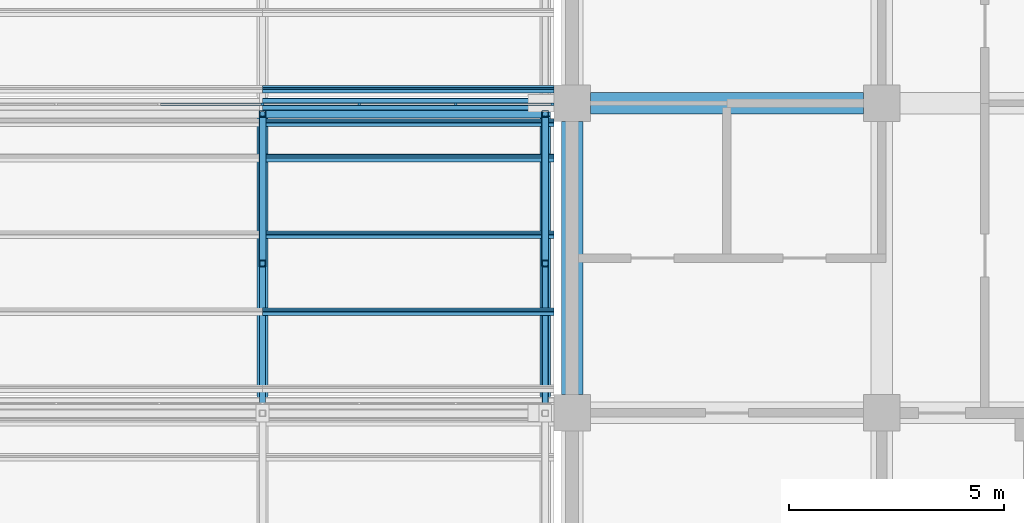
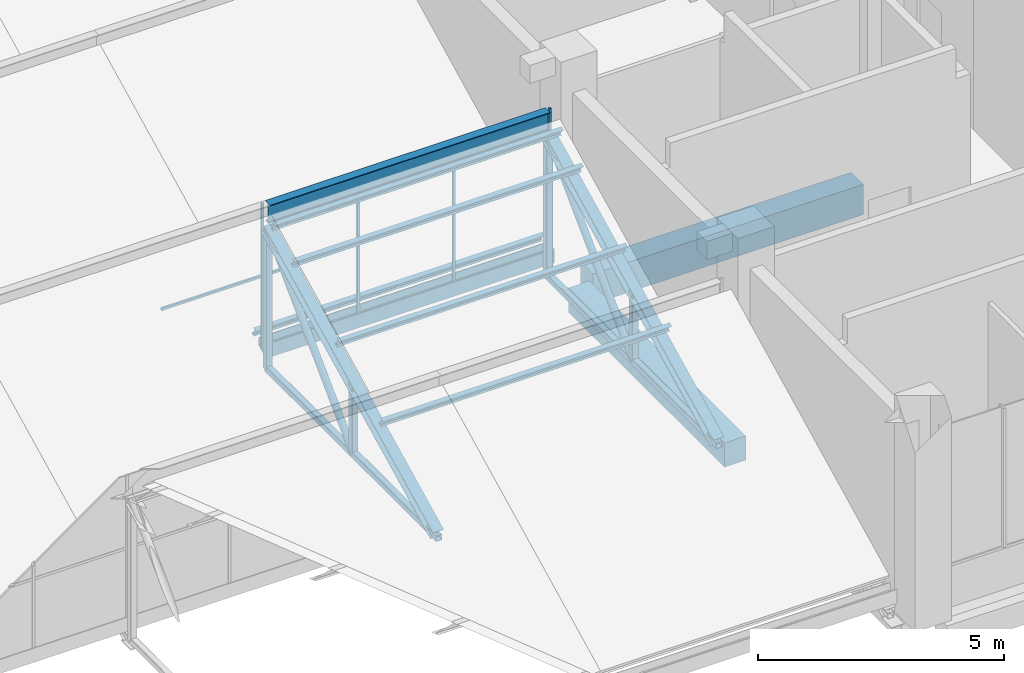
# One storey, part 45 of 83: 25 members, 2 beams, 2 elements without a shape of their own.
"""IFC4 building model written with IfcOpenShell, lengths in metres."""

from ifc_helpers import new_model, si_unit, direction, frame, origin, origin_2d, place, context, subcontext, project, spatial, polyline, rectangle, hollow_rectangle, hollow_circle, i_section, outline, extrude, material, material_profile, profile_set, type_object, element, aggregate, save


model = new_model("IFC4")

# Units and contexts
model_context = context("Model", 3, precision=1e-05, world=origin(), true_north=direction((0.0, 1.0)))
body_context = subcontext(model_context, "Body", "Model", "MODEL_VIEW")
ifc_project = project(units=[si_unit("LENGTHUNIT", "METRE"), si_unit("AREAUNIT", "SQUARE_METRE"), si_unit("VOLUMEUNIT", "CUBIC_METRE"), si_unit("PLANEANGLEUNIT", "RADIAN"), si_unit("MASSUNIT", "GRAM", prefix="KILO")], contexts=[model_context])

# Site, building, storey
site_placement = place(None, origin())
site = spatial("IfcSite", under=ifc_project, at=site_placement, CompositionType="ELEMENT")
building_placement = place(site_placement, origin())
building = spatial("IfcBuilding", under=site, at=building_placement, Name="Silangan Lancet Faculty of Sciences", CompositionType="ELEMENT")
storey_placement = place(building_placement, frame((0.0, 0.0, 11.39990234375)))
storey = spatial("IfcBuildingStorey", under=building, at=storey_placement, Name="L02", CompositionType="ELEMENT", Elevation=11.39990234375)

# Beams
ifc_material_1 = material(Name="Concrete C40/50", Category="concrete")
ifc_material_profile_1 = material_profile(ifc_material_1, rectangle(XDim=0.5, YDim=0.60009765625, at=origin_2d()), Name="RC 500x600")
ifc_profile_set_1 = profile_set([ifc_material_profile_1], Name="Concrete C40/50")
beam_type_1 = type_object("IfcBeamType", Name="BEAM RC 500x600", PredefinedType="BEAM", material=ifc_profile_set_1)
beam_1_placement = place(storey_placement, frame((72.0, 7.625, -0.5498046875), z_axis=(0.0, 1.0, 0.0), x_axis=(-1.0, 0.0, 0.0)))
element("IfcBeam", 1, at=beam_1_placement, inside=storey, type_object=beam_type_1, Name="BM-L02-11B-11C", PredefinedType="BEAM", context=body_context, shape_type="SweptSolid", body=[
    extrude(rectangle(XDim=0.5, YDim=0.60009765625, at=origin_2d()), origin(), (0.0, 0.0, 1.0), 6.35009765625),
])
ifc_material_2 = material(Name="Concrete C40/50", Category="concrete")
ifc_material_profile_2 = material_profile(ifc_material_2, rectangle(XDim=0.5, YDim=0.75, at=origin_2d()), Name="RC 500x750")
ifc_profile_set_2 = profile_set([ifc_material_profile_2], Name="Concrete C40/50")
beam_type_2 = type_object("IfcBeamType", Name="BEAM RC 500x750", PredefinedType="BEAM", material=ifc_profile_set_2)
beam_2_placement = place(storey_placement, frame((72.425048828125, 14.39990234375, -0.625), z_axis=(1.0, 0.0, 0.0), x_axis=(0.0, 1.0, 0.0)))
element("IfcBeam", 2, at=beam_2_placement, inside=storey, type_object=beam_type_2, Name="BM-L02-11C-12C", PredefinedType="BEAM", context=body_context, shape_type="SweptSolid", body=[
    extrude(rectangle(XDim=0.5, YDim=0.75, at=origin_2d()), origin(), (0.0, 0.0, 1.0), 6.349853515625),
])

# Member
ifc_material_3 = material(Name="Steel SS400", Category="steel")
ifc_material_profile_3 = material_profile(ifc_material_3, i_section(OverallWidth=0.199951171875, OverallDepth=0.5, WebThickness=0.010009765625, FlangeThickness=0.01611328125, FilletRadius=0.02001953125, at=origin_2d()), Name="H 500x200x10x16")
ifc_profile_set_3 = profile_set([ifc_material_profile_3], Name="Steel SS400")
member_type_1 = type_object("IfcMemberType", Name="Exposed ridge beam H 500x200x10x16", PredefinedType="MEMBER", material=ifc_profile_set_3)
member_1_placement = place(storey_placement, frame((64.800048828125, 14.1533203125, 3.9326171875), z_axis=(1.0, 0.0, 0.0), x_axis=(0.0, 1.0, 0.0)))
element("IfcMember", 3, at=member_1_placement, inside=storey, type_object=member_type_1, Name="Exposed ridge beam SAB-2-6", PredefinedType="MEMBER", context=body_context, shape_type="SweptSolid", body=[
    extrude(i_section(OverallWidth=0.199951171875, OverallDepth=0.5, WebThickness=0.010009765625, FlangeThickness=0.01611328125, FilletRadius=0.02001953125, at=origin_2d()), origin(), (0.0, 0.0, 1.0), 6.574951171875),
])

# Curtain wall, members
ifc_material_4 = material(Name="Aluminium and laminated glass", Category="aluminium")
curtain_wall_type = type_object("IfcCurtainWallType", Name="North light glazing system", PredefinedType="NOTDEFINED", material=ifc_material_4)
curtain_wall_1_placement = place(storey_placement, origin())
curtain_wall_1 = element("IfcCurtainWall", 4, at=curtain_wall_1_placement, inside=storey, type_object=curtain_wall_type, Name="North light glazing SAB-2-6", PredefinedType="NOTDEFINED")
ifc_material_5 = material(Name="Aluminium 6063-T6", Category="aluminium")
ifc_material_profile_4 = material_profile(ifc_material_5, rectangle(XDim=0.06005859375, YDim=0.050048828125, at=origin_2d()), Name="AL 60x50")
ifc_profile_set_4 = profile_set([ifc_material_profile_4], Name="Aluminium 6063-T6")
member_type_2 = type_object("IfcMemberType", Name="North light mullion 60x50", PredefinedType="MULLION", material=ifc_profile_set_4)
member_2_placement = place(storey_placement, frame((64.800048828125, 14.37841796875, 0.4423828125), z_axis=(0.0, 0.0, 1.0), x_axis=(1.0, 0.0, 0.0)))
member_2 = element("IfcMember", 5, at=member_2_placement, type_object=member_type_2, Name="North light mullion SAB-2-6 1", PredefinedType="MULLION", context=body_context, shape_type="SweptSolid", body=[
    extrude(rectangle(XDim=0.06005859375, YDim=0.050048828125, at=origin_2d()), origin(), (0.0, 0.0, 1.0), 3.595947265625),
])
member_3_placement = place(storey_placement, frame((67.04833984375, 14.37841796875, 0.4423828125), z_axis=(0.0, 0.0, 1.0), x_axis=(1.0, 0.0, 0.0)))
member_3 = element("IfcMember", 6, at=member_3_placement, type_object=member_type_2, Name="North light mullion SAB-2-6 2", PredefinedType="MULLION", context=body_context, shape_type="SweptSolid", body=[
    extrude(rectangle(XDim=0.06005859375, YDim=0.050048828125, at=origin_2d()), origin(), (0.0, 0.0, 1.0), 3.595947265625),
])
member_4_placement = place(storey_placement, frame((69.296630859375, 14.37841796875, 0.4423828125), z_axis=(0.0, 0.0, 1.0), x_axis=(1.0, 0.0, 0.0)))
member_4 = element("IfcMember", 7, at=member_4_placement, type_object=member_type_2, Name="North light mullion SAB-2-6 3", PredefinedType="MULLION", context=body_context, shape_type="SweptSolid", body=[
    extrude(rectangle(XDim=0.06005859375, YDim=0.050048828125, at=origin_2d()), origin(), (0.0, 0.0, 1.0), 3.595947265625),
])
member_5_placement = place(storey_placement, frame((71.544921875, 14.37841796875, 0.4423828125), z_axis=(0.0, 0.0, 1.0), x_axis=(1.0, 0.0, 0.0)))
member_5 = element("IfcMember", 8, at=member_5_placement, type_object=member_type_2, Name="North light mullion SAB-2-6 4", PredefinedType="MULLION", context=body_context, shape_type="SweptSolid", body=[
    extrude(rectangle(XDim=0.06005859375, YDim=0.050048828125, at=origin_2d()), origin(), (0.0, 0.0, 1.0), 3.595947265625),
])

# Curtain wall, member
curtain_wall_2_placement = place(storey_placement, origin())
curtain_wall_2 = element("IfcCurtainWall", 9, at=curtain_wall_2_placement, inside=storey, type_object=curtain_wall_type, Name="North light glazing SAB-2-5", PredefinedType="NOTDEFINED")
ifc_material_6 = material(Name="Aluminium 6063-T6", Category="aluminium")
ifc_material_profile_5 = material_profile(ifc_material_6, rectangle(XDim=0.050048828125, YDim=0.06005859375, at=origin_2d()), Name="AL 50x60")
ifc_profile_set_5 = profile_set([ifc_material_profile_5], Name="Aluminium 6063-T6")
member_type_3 = type_object("IfcMemberType", Name="North light transom 50x60", PredefinedType="USERDEFINED", material=ifc_profile_set_5)
member_6_placement = place(storey_placement, frame((62.429931640625, 14.37841796875, 2.240478515625), z_axis=(1.0, 0.0, 0.0), x_axis=(0.0, 1.0, 0.0)))
member_6 = element("IfcMember", 10, at=member_6_placement, type_object=member_type_3, Name="North light transom SAB-2-5 3", ObjectType="TRANSOM", PredefinedType="USERDEFINED", context=body_context, shape_type="SweptSolid", body=[
    extrude(rectangle(XDim=0.050048828125, YDim=0.06005859375, at=origin_2d()), origin(), (0.0, 0.0, 1.0), 2.340087890625),
])
aggregate(curtain_wall_2, [member_6])

# Member
member_7_placement = place(storey_placement, frame((64.830078125, 14.37841796875, 2.240478515625), z_axis=(1.0, 0.0, 0.0), x_axis=(0.0, 1.0, 0.0)))
member_7 = element("IfcMember", 11, at=member_7_placement, type_object=member_type_3, Name="North light transom SAB-2-6 1", ObjectType="TRANSOM", PredefinedType="USERDEFINED", context=body_context, shape_type="SweptSolid", body=[
    extrude(rectangle(XDim=0.050048828125, YDim=0.06005859375, at=origin_2d()), origin(), (0.0, 0.0, 1.0), 2.188232421875),
])

member_8_placement = place(storey_placement, frame((67.078369140625, 14.37841796875, 2.240478515625), z_axis=(1.0, 0.0, 0.0), x_axis=(0.0, 1.0, 0.0)))
member_8 = element("IfcMember", 12, at=member_8_placement, type_object=member_type_3, Name="North light transom SAB-2-6 2", ObjectType="TRANSOM", PredefinedType="USERDEFINED", context=body_context, shape_type="SweptSolid", body=[
    extrude(rectangle(XDim=0.050048828125, YDim=0.06005859375, at=origin_2d()), origin(), (0.0, 0.0, 1.0), 2.188232421875),
])

member_9_placement = place(storey_placement, frame((69.32666015625, 14.37841796875, 2.240478515625), z_axis=(1.0, 0.0, 0.0), x_axis=(0.0, 1.0, 0.0)))
member_9 = element("IfcMember", 13, at=member_9_placement, type_object=member_type_3, Name="North light transom SAB-2-6 3", ObjectType="TRANSOM", PredefinedType="USERDEFINED", context=body_context, shape_type="SweptSolid", body=[
    extrude(rectangle(XDim=0.050048828125, YDim=0.06005859375, at=origin_2d()), origin(), (0.0, 0.0, 1.0), 2.248291015625),
])

aggregate(curtain_wall_1, [member_2, member_3, member_4, member_5, member_7, member_8, member_9])

# Members
ifc_material_7 = material(Name="Steel SS400", Category="steel")
ifc_material_profile_6 = material_profile(ifc_material_7, i_section(OverallWidth=0.10009765625, OverallDepth=0.199951171875, WebThickness=0.005615234375, FlangeThickness=0.008056640625, FilletRadius=0.008056640625, at=origin_2d()), Name="H 200x100x5.5x8")
ifc_profile_set_6 = profile_set([ifc_material_profile_6], Name="Steel SS400")
member_type_4 = type_object("IfcMemberType", Name="Sheeting purlin H 200x100x5.5x8", PredefinedType="PURLIN", material=ifc_profile_set_6)
for number, where, z_axis, x_axis, name in (
    (14, (64.800048828125, 9.55078125, 1.526123046875), (1.0, 0.0, 0.0), (0.0, 0.894427192382, 0.447213592736), "Sheeting purlin SAB-2-6 2"),
    (15, (64.800048828125, 11.339599609375, 2.420654296875), (1.0, 0.0, 0.0), (0.0, 0.894427192382, 0.447213592736), "Sheeting purlin SAB-2-6 3"),
    (16, (64.800048828125, 13.12841796875, 3.31494140625), (1.0, 0.0, 0.0), (0.0, 0.894427192382, 0.447213592736), "Sheeting purlin SAB-2-6 4"),
    (17, (64.800048828125, 13.9453125, 3.723388671875), (1.0, 0.0, 0.0), (0.0, 0.894427192382, 0.447213592736), "Sheeting purlin SAB-2-6 5"),
    (18, (64.800048828125, 14.723388671875, 0.6318359375), (1.0, 0.0, 0.0), (0.0, 0.894427192382, 0.447213592736), "Sheeting purlin SAB-3-6 1"),
):
    element("IfcMember", number, at=place(storey_placement, frame(where, z_axis=z_axis, x_axis=x_axis)), inside=storey, type_object=member_type_4, Name=name, PredefinedType="PURLIN", context=body_context, shape_type="SweptSolid", body=[
        extrude(i_section(OverallWidth=0.10009765625, OverallDepth=0.199951171875, WebThickness=0.005615234375, FlangeThickness=0.008056640625, FilletRadius=0.008056640625, at=origin_2d()), origin(), (0.0, 0.0, 1.0), 6.77490234375),
    ])
ifc_material_8 = material(Name="Steel STKR400", Category="steel")
ifc_material_profile_7 = material_profile(ifc_material_8, hollow_rectangle(XDim=0.14990234375, YDim=0.14990234375, WallThickness=0.009033203125, InnerFilletRadius=0.009033203125, OuterFilletRadius=0.01806640625, at=origin_2d()), Name="SHS 150x150x9.0")
ifc_profile_set_7 = profile_set([ifc_material_profile_7], Name="Steel STKR400")
member_type_5 = type_object("IfcMemberType", Name="Truss bottom chord SHS 150x150x9.0", PredefinedType="CHORD", material=ifc_profile_set_7)
for number, where, z_axis, x_axis, name in (
    (19, (64.800048828125, 7.191650390625, 0.09521484375), (0.0, 1.0, 0.0), (-1.0, 0.0, 0.0), "Truss 6 bottom chord 2"),
    (20, (71.375, 7.191650390625, 0.09521484375), (0.0, 1.0, 0.0), (-1.0, 0.0, 0.0), "Truss 7 bottom chord 2"),
):
    element("IfcMember", number, at=place(storey_placement, frame(where, z_axis=z_axis, x_axis=x_axis)), inside=storey, type_object=member_type_5, Name=name, PredefinedType="CHORD", context=body_context, shape_type="SweptSolid", body=[
        extrude(hollow_rectangle(XDim=0.14990234375, YDim=0.14990234375, WallThickness=0.009033203125, InnerFilletRadius=0.009033203125, OuterFilletRadius=0.01806640625, at=origin_2d()), origin(), (0.0, 0.0, 1.0), 6.961669921875),
    ])
ifc_material_9 = material(Name="Steel STK400", Category="steel")
ifc_material_profile_8 = material_profile(ifc_material_9, hollow_circle(Radius=0.08251953125, WallThickness=0.0048828125, at=origin_2d()), Name="CHS 165.2x5.0")
ifc_profile_set_8 = profile_set([ifc_material_profile_8], Name="Steel STK400")
member_type_6 = type_object("IfcMemberType", Name="Truss diagonal CHS 165.2x5.0", PredefinedType="BRACE", material=ifc_profile_set_8)
for number, where, z_axis, x_axis, name in (
    (21, (64.800048828125, 10.672607421875, 0.09521484375), (0.0, 0.707106781187, 0.707106781187), (-1.0, 0.0, 0.0), "Truss 6 diagonal 2"),
    (22, (71.375, 10.672607421875, 0.09521484375), (0.0, 0.707106781187, 0.707106781187), (-1.0, 0.0, 0.0), "Truss 7 diagonal 2"),
):
    element("IfcMember", number, at=place(storey_placement, frame(where, z_axis=z_axis, x_axis=x_axis)), inside=storey, type_object=member_type_6, Name=name, PredefinedType="BRACE", context=body_context, shape_type="SweptSolid", body=[
        extrude(hollow_circle(Radius=0.08251953125, WallThickness=0.0048828125, at=origin_2d()), origin(), (0.0, 0.0, 1.0), 4.92236328125),
    ])
ifc_material_10 = material(Name="Steel STKR400", Category="steel")
ifc_material_profile_9 = material_profile(ifc_material_10, hollow_rectangle(XDim=0.14990234375, YDim=0.14990234375, WallThickness=0.006103515625, InnerFilletRadius=0.006103515625, OuterFilletRadius=0.011962890625, at=origin_2d()), Name="SHS 150x150x6.0")
ifc_profile_set_9 = profile_set([ifc_material_profile_9], Name="Steel STKR400")
member_type_7 = type_object("IfcMemberType", Name="Truss post SHS 150x150x6.0", PredefinedType="POST", material=ifc_profile_set_9)
member_10_placement = place(storey_placement, frame((64.800048828125, 14.1533203125, 0.09521484375), z_axis=(0.0, 0.0, 1.0), x_axis=(1.0, 0.0, 0.0)))
element("IfcMember", 23, at=member_10_placement, inside=storey, type_object=member_type_7, Name="Truss 6 riser post 2", PredefinedType="POST", context=body_context, shape_type="SweptSolid", body=[
    extrude(hollow_rectangle(XDim=0.14990234375, YDim=0.14990234375, WallThickness=0.006103515625, InnerFilletRadius=0.006103515625, OuterFilletRadius=0.011962890625, at=origin_2d()), origin(), (0.0, 0.0, 1.0), 3.480712890625),
])
member_11_placement = place(storey_placement, frame((64.800048828125, 10.672607421875, 0.09521484375), z_axis=(0.0, 0.0, 1.0), x_axis=(1.0, 0.0, 0.0)))
element("IfcMember", 24, at=member_11_placement, inside=storey, type_object=member_type_7, Name="Truss 6 mid post 2", PredefinedType="POST", context=body_context, shape_type="SweptSolid", body=[
    extrude(hollow_rectangle(XDim=0.14990234375, YDim=0.14990234375, WallThickness=0.006103515625, InnerFilletRadius=0.006103515625, OuterFilletRadius=0.011962890625, at=origin_2d()), origin(), (0.0, 0.0, 1.0), 1.740234375),
])
member_12_placement = place(storey_placement, frame((71.375, 14.1533203125, 0.09521484375), z_axis=(0.0, 0.0, 1.0), x_axis=(1.0, 0.0, 0.0)))
element("IfcMember", 25, at=member_12_placement, inside=storey, type_object=member_type_7, Name="Truss 7 riser post 2", PredefinedType="POST", context=body_context, shape_type="SweptSolid", body=[
    extrude(hollow_rectangle(XDim=0.14990234375, YDim=0.14990234375, WallThickness=0.006103515625, InnerFilletRadius=0.006103515625, OuterFilletRadius=0.011962890625, at=origin_2d()), origin(), (0.0, 0.0, 1.0), 3.480712890625),
])
member_13_placement = place(storey_placement, frame((71.375, 10.672607421875, 0.09521484375), z_axis=(0.0, 0.0, 1.0), x_axis=(1.0, 0.0, 0.0)))
element("IfcMember", 26, at=member_13_placement, inside=storey, type_object=member_type_7, Name="Truss 7 mid post 2", PredefinedType="POST", context=body_context, shape_type="SweptSolid", body=[
    extrude(hollow_rectangle(XDim=0.14990234375, YDim=0.14990234375, WallThickness=0.006103515625, InnerFilletRadius=0.006103515625, OuterFilletRadius=0.011962890625, at=origin_2d()), origin(), (0.0, 0.0, 1.0), 1.740234375),
])
ifc_material_11 = material(Name="Steel SS400", Category="steel")
ifc_material_profile_10 = material_profile(ifc_material_11, i_section(OverallWidth=0.25, OverallDepth=0.25, WebThickness=0.009033203125, FlangeThickness=0.013916015625, FilletRadius=0.01611328125, at=origin_2d()), Name="H 250x250x9x14")
ifc_profile_set_10 = profile_set([ifc_material_profile_10], Name="Steel SS400")
member_type_8 = type_object("IfcMemberType", Name="Truss top chord H 250x250x9x14", PredefinedType="CHORD", material=ifc_profile_set_10)
for number, where, z_axis, x_axis, name in (
    (27, (64.800048828125, 7.272216796875, 0.13525390625), (0.0, 0.894420844124, 0.447226289027), (-1.0, 0.0, 0.0), "Truss 6 top chord 2"),
    (28, (71.375, 7.272216796875, 0.13525390625), (0.0, 0.894420844124, 0.447226289027), (-1.0, 0.0, 0.0), "Truss 7 top chord 2"),
):
    element("IfcMember", number, at=place(storey_placement, frame(where, z_axis=z_axis, x_axis=x_axis)), inside=storey, type_object=member_type_8, Name=name, PredefinedType="CHORD", context=body_context, shape_type="SweptSolid", body=[
        extrude(i_section(OverallWidth=0.25, OverallDepth=0.25, WebThickness=0.009033203125, FlangeThickness=0.013916015625, FilletRadius=0.01611328125, at=origin_2d()), origin(), (0.0, 0.0, 1.0), 7.693359375),
    ])
ifc_material_12 = material(Name="Stainless steel", Category="steel")
ifc_material_profile_11 = material_profile(ifc_material_12, outline(polyline([(-0.14990234375, 0.0), (0.14990234375, 0.14990234375), (0.14990234375, 0.35009765625), (0.1298828125, 0.35009765625), (0.1298828125, 0.169921875), (-0.1298828125, 0.169921875), (-0.1298828125, 0.35009765625), (-0.14990234375, 0.35009765625), (-0.14990234375, 0.0)])), Name="valley gutter")
ifc_profile_set_11 = profile_set([ifc_material_profile_11], Name="Stainless steel")
member_type_9 = type_object("IfcMemberType", Name="Valley gutter 300 wide", PredefinedType="USERDEFINED", material=ifc_profile_set_11)
member_14_placement = place(storey_placement, frame((64.800048828125, 14.37841796875, 0.2724609375), z_axis=(1.0, 0.0, 0.0), x_axis=(0.0, 1.0, 0.0)))
element("IfcMember", 29, at=member_14_placement, inside=storey, type_object=member_type_9, Name="Valley gutter SAB-3-6", ObjectType="GUTTER", PredefinedType="USERDEFINED", context=body_context, shape_type="SweptSolid", body=[
    extrude(outline(polyline([(-0.14990234375, 0.0), (0.14990234375, 0.14990234375), (0.14990234375, 0.35009765625), (0.1298828125, 0.35009765625), (0.1298828125, 0.169921875), (-0.1298828125, 0.169921875), (-0.1298828125, 0.35009765625), (-0.14990234375, 0.35009765625), (-0.14990234375, 0.0)])), origin(), (0.0, 0.0, 1.0), 6.77490234375),
])

save(model, "model.ifc")
